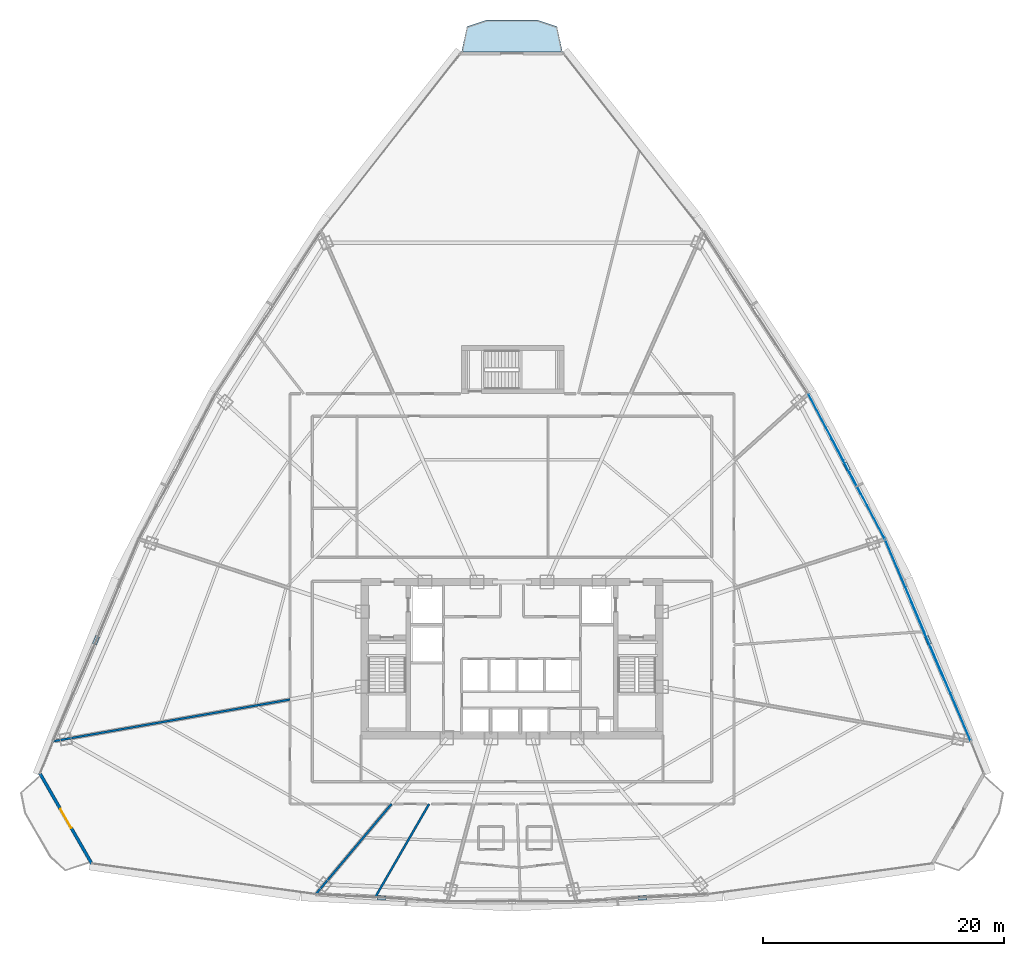
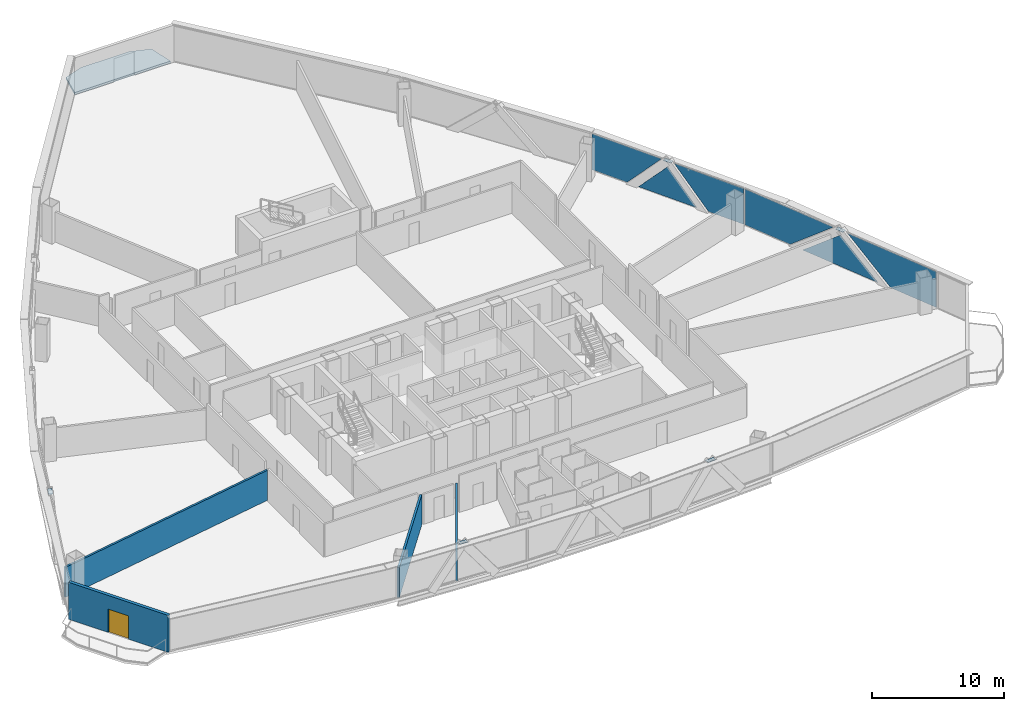
# One storey, part 31 of 39: 11 plates, 4 walls, 1 door, 1 slab, 1 opening, 2 elements without a shape of their own.
"""IFC4 building model written with IfcOpenShell, lengths in metres."""

from ifc_helpers import new_model, si_unit, direction, frame, frame_2d, origin, origin_with_axes, origin_2d, place, context, subcontext, project, spatial, polyline, rectangle, outline, extrude, source, transform, mapped, material, layer, layer_set, type_object, element, fill, aggregate, save


model = new_model("IFC4")

# Units and contexts
model_context = context("Model", 3, precision=1e-05, world=origin(), true_north=direction((0.0, 1.0)))
body_context = subcontext(model_context, "Body", "Model", "MODEL_VIEW")
ifc_project = project(units=[si_unit("LENGTHUNIT", "METRE"), si_unit("AREAUNIT", "SQUARE_METRE"), si_unit("VOLUMEUNIT", "CUBIC_METRE"), si_unit("PLANEANGLEUNIT", "RADIAN"), si_unit("MASSUNIT", "GRAM", prefix="KILO"), si_unit("THERMODYNAMICTEMPERATUREUNIT", "KELVIN"), si_unit("POWERUNIT", "WATT")], contexts=[model_context])

# Site, building, storey
site_placement = place(None, origin())
site = spatial("IfcSite", under=ifc_project, at=site_placement, CompositionType="ELEMENT")
building_placement = place(site_placement, origin())
building = spatial("IfcBuilding", under=site, at=building_placement, Name="Yunzhuo Pagoda Commons", CompositionType="ELEMENT")
storey_placement = place(building_placement, frame((0.0, 0.0, 162.949951171875)))
storey = spatial("IfcBuildingStorey", under=building, at=storey_placement, Name="L41", CompositionType="ELEMENT", Elevation=162.949951171875)

# Curtain wall, plates
ifc_material_1 = material(Name="Anodized aluminium 6063-T6", Category="aluminium")
ifc_layer_1 = layer(ifc_material_1, 0.14990234375)
ifc_layer_set_1 = layer_set([ifc_layer_1], Name="Anodized aluminium 6063-T6")
curtain_wall_type = type_object("IfcCurtainWallType", Name="CW-MID Mid-Zone Ribbon Curtain Wall", PredefinedType="NOTDEFINED", material=ifc_layer_set_1)
curtain_wall_1_placement = place(storey_placement, origin())
curtain_wall_1 = element("IfcCurtainWall", 1, at=curtain_wall_1_placement, inside=storey, type_object=curtain_wall_type, Name="L41 curtain wall CW-L41-F2B2", PredefinedType="NOTDEFINED")
ifc_material_2 = material(Name="Tempered low-e double glazing", Category="glass")
ifc_layer_2 = layer(ifc_material_2, 0.028076171875)
ifc_layer_set_2 = layer_set([ifc_layer_2], Name="Tempered low-e double glazing")
plate_type_1 = type_object("IfcPlateType", Name="CW-MID-P Low-E Double Glazing 28", PredefinedType="CURTAIN_PANEL", material=ifc_layer_set_2)
plate_1_placement = place(storey_placement, frame((84.358642578125, 30.89453125, 1.7099609375), z_axis=(0.920363798122, 0.391063267395, 0.0), x_axis=(-0.391063267395, 0.920363798122, 0.0)))
plate_1 = element("IfcPlate", 2, at=plate_1_placement, type_object=plate_type_1, Name="CW panel 1.1 lite 1", PredefinedType="CURTAIN_PANEL", context=body_context, shape_type="SweptSolid", body=[
    extrude(outline(polyline([(-4.183837890625, -1.655029296875), (0.09130859375, -1.655029296875), (4.183837890625, 1.655029296875), (-4.183837890625, 1.655029296875), (-4.183837890625, -1.655029296875)])), origin(), (0.0, 0.0, 1.0), 0.028076171875),
])
plate_2_placement = place(storey_placement, frame((82.431884765625, 35.352294921875, 1.4931640625), z_axis=(0.920363798122, 0.391063267395, 0.0), x_axis=(-0.391063267395, 0.920363798122, 0.0)))
plate_2 = element("IfcPlate", 3, at=plate_2_placement, type_object=plate_type_1, Name="CW panel 1.1 lite 2", PredefinedType="CURTAIN_PANEL", context=body_context, shape_type="SweptSolid", body=[
    extrude(outline(polyline([(-3.556396484375, -1.438232421875), (3.556396484375, -1.438232421875), (0.0, 1.438232421875), (-3.556396484375, -1.438232421875)])), origin(), (0.0, 0.0, 1.0), 0.028076171875),
])
plate_3_placement = place(storey_placement, frame((80.560546875, 39.833251953125, 1.7099609375), z_axis=(0.920363798122, 0.391063267395, 0.0), x_axis=(-0.391063267395, 0.920363798122, 0.0)))
plate_3 = element("IfcPlate", 4, at=plate_3_placement, type_object=plate_type_1, Name="CW panel 1.1 lite 3", PredefinedType="CURTAIN_PANEL", context=body_context, shape_type="SweptSolid", body=[
    extrude(outline(polyline([(-4.183837890625, 1.655029296875), (-0.09130859375, -1.655029296875), (4.183837890625, -1.655029296875), (4.183837890625, 1.655029296875), (-4.183837890625, 1.655029296875)])), origin(), (0.0, 0.0, 1.0), 0.028076171875),
])
aggregate(curtain_wall_1, [plate_1, plate_2, plate_3])

curtain_wall_2_placement = place(storey_placement, origin())
curtain_wall_2 = element("IfcCurtainWall", 5, at=curtain_wall_2_placement, inside=storey, type_object=curtain_wall_type, Name="L41 curtain wall CW-L41-F2B3", PredefinedType="NOTDEFINED")
plate_4_placement = place(storey_placement, frame((77.428466796875, 46.52734375, 1.7099609375), z_axis=(0.88426270096, 0.466989802556, 0.0), x_axis=(-0.466989802556, 0.88426270096, 0.0)))
plate_4 = element("IfcPlate", 6, at=plate_4_placement, type_object=plate_type_1, Name="CW panel 1.1 lite 1", PredefinedType="CURTAIN_PANEL", context=body_context, shape_type="SweptSolid", body=[
    extrude(outline(polyline([(-3.09423828125, -1.655029296875), (0.0283203125, -1.655029296875), (3.094482421875, 1.655029296875), (-3.09423828125, 1.655029296875), (-3.09423828125, -1.655029296875)])), origin(), (0.0, 0.0, 1.0), 0.028076171875),
])
plate_5_placement = place(storey_placement, frame((75.691162109375, 49.75244140625, 1.4580078125), z_axis=(0.88426270096, 0.466989802556, 0.0), x_axis=(-0.466989802556, 0.88426270096, 0.0)))
plate_5 = element("IfcPlate", 7, at=plate_5_placement, type_object=plate_type_1, Name="CW panel 1.1 lite 2", PredefinedType="CURTAIN_PANEL", context=body_context, shape_type="SweptSolid", body=[
    extrude(outline(polyline([(-2.59912109375, -1.40283203125), (2.59912109375, -1.40283203125), (0.0, 1.40283203125), (-2.59912109375, -1.40283203125)])), origin(), (0.0, 0.0, 1.0), 0.028076171875),
])
plate_6_placement = place(storey_placement, frame((74.0068359375, 53.005859375, 1.7099609375), z_axis=(0.88426270096, 0.466989802556, 0.0), x_axis=(-0.466989802556, 0.88426270096, 0.0)))
plate_6 = element("IfcPlate", 8, at=plate_6_placement, type_object=plate_type_1, Name="CW panel 1.1 lite 3", PredefinedType="CURTAIN_PANEL", context=body_context, shape_type="SweptSolid", body=[
    extrude(outline(polyline([(-3.094482421875, 1.655029296875), (-0.0283203125, -1.655029296875), (3.09423828125, -1.655029296875), (3.09423828125, 1.655029296875), (-3.094482421875, 1.655029296875)])), origin(), (0.0, 0.0, 1.0), 0.028076171875),
])
aggregate(curtain_wall_2, [plate_4, plate_5, plate_6])

# Slab
ifc_material_3 = material(Name="Concrete C40", Category="concrete")
ifc_layer_3 = layer(ifc_material_3, 0.199951171875)
ifc_layer_set_3 = layer_set([ifc_layer_3], Name="Concrete C40")
slab_type = type_object("IfcSlabType", Name="SL-BAL Vertex Balcony Deck Slab 200", PredefinedType="FLOOR", material=ifc_layer_set_3)
slab_placement = place(storey_placement, frame((0.0, 0.0, -0.199951171875)))
element("IfcSlab", 9, at=slab_placement, inside=storey, type_object=slab_type, Name="L41 corner balcony V3", PredefinedType="FLOOR", context=body_context, shape_type="SweptSolid", body=[
    extrude(outline(polyline([(52.1806640625, 84.1328125), (43.8193359375, 84.1328125), (44.269287109375, 86.227783203125), (45.90966796875, 86.77783203125), (50.09033203125, 86.77783203125), (51.730712890625, 86.227783203125), (52.1806640625, 84.1328125)])), origin(), (0.0, 0.0, 1.0), 0.199951171875),
])

# Plates
ifc_material_4 = material(Name="Structural steel Q355B", Category="steel")
ifc_layer_4 = layer(ifc_material_4, 0.028076171875)
ifc_layer_set_4 = layer_set([ifc_layer_4], Name="Structural steel Q355B")
plate_type_2 = type_object("IfcPlateType", Name="SP-ND1 Lattice Node Cap Plate 800x500x28", PredefinedType="USERDEFINED", material=ifc_layer_set_4)
shared_shape_1 = source(origin(), body_context, "Body", "SweptSolid", [
    extrude(rectangle(XDim=0.699951171875, YDim=0.35009765625, at=origin_2d()), origin(), (0.0, 0.0, 1.0), 0.035888671875),
])
for number, where, z_axis, x_axis, name in (
    (10, (37.19140625, 14.0146484375, 3.38232421875), (0.0, 0.0, 1.0), (0.998414348059, -0.056292002903, 0.0), "L41 setback lattice tie plate F1.1L"),
    (11, (58.80859375, 14.0146484375, 3.38232421875), (0.0, 0.0, 1.0), (0.998414348059, 0.056292002903, 0.0), "L41 setback lattice tie plate F1.3L"),
    (12, (82.472412109375, 35.369384765625, 3.38232421875), (0.0, 0.0, 1.0), (-0.391068484887, 0.920361581189, 0.0), "L41 setback lattice tie plate F2.1L"),
    (13, (75.730224609375, 49.773193359375, 3.38232421875), (0.0, 0.0, 1.0), (-0.46698864742, 0.884263311, 0.0), "L41 setback lattice tie plate F2.2L"),
    (14, (13.52734375, 35.369384765625, 3.38232421875), (0.0, 0.0, 1.0), (-0.391068484887, -0.920361581189, 0.0), "L41 setback lattice tie plate F3.3L"),
):
    element("IfcPlate", number, at=place(storey_placement, frame(where, z_axis=z_axis, x_axis=x_axis)), inside=storey, type_object=plate_type_2, Name=name, ObjectType="STIFFENER_PLATE", PredefinedType="USERDEFINED", context=body_context, shape_type="MappedRepresentation", body=[
        mapped(shared_shape_1, transform((0.0, 0.0, 0.0), scale=1.0)),
    ])

# Wall, opening, door
ifc_material_5 = material(Name="Precast concrete C40", Category="concrete")
ifc_layer_5 = layer(ifc_material_5, 0.260009765625)
ifc_layer_set_5 = layer_set([ifc_layer_5], Name="Precast concrete C40")
wall_type_1 = type_object("IfcWallType", Name="W-BAL1 Corner Balcony Threshold Wall 260", PredefinedType="STANDARD", material=ifc_layer_set_5)
wall_1_placement = place(storey_placement, frame((8.856201171875, 24.36181640625, 0.0), z_axis=(0.0, 0.0, 1.0), x_axis=(0.497939858886, -0.867211564114, 0.0)))
wall_1 = element("IfcWall", 15, at=wall_1_placement, inside=storey, type_object=wall_type_1, Name="L41 corner balcony wall V1", PredefinedType="STANDARD", context=body_context, shape_type="SweptSolid", body=[
    extrude(rectangle(XDim=8.696044921875, YDim=0.260009765625, at=frame_2d((4.34814453125, 0.0))), origin(), (0.0, 0.0, 1.0), 3.420166015625),
])
opening_placement = place(wall_1_placement, frame((3.447998046875, 0.0, 0.0)))
opening = element("IfcOpeningElement", 16, at=opening_placement, cuts=wall_1, Name="Opening D-BAL1", PredefinedType="OPENING", context=body_context, shape_type="SweptSolid", body=[
    extrude(rectangle(XDim=1.800048828125, YDim=2.14990234375, at=frame_2d((0.89990234375, 1.074951171875))), frame((0.0, 0.14013671875, 0.0), z_axis=(0.0, -1.0, 0.0), x_axis=(1.0, 0.0, 0.0)), (0.0, 0.0, 1.0), 0.280029296875),
])
ifc_material_6 = material(Name="Anodized aluminium frame and tempered glazed leaf", Category="aluminium")
door_type = type_object("IfcDoorType", Name="D-BAL1 Corner Balcony Sliding Glazed Door 1800x2150", OperationType="DOUBLE_DOOR_SLIDING", PredefinedType="DOOR", material=ifc_material_6)
shared_shape_2 = source(origin(), body_context, "Body", "SweptSolid", [
    extrude(rectangle(XDim=1.800048828125, YDim=2.14990234375, at=frame_2d((0.89990234375, 1.074951171875))), frame((0.0, 0.02490234375, 0.0), z_axis=(0.0, -1.0, 0.0), x_axis=(1.0, 0.0, 0.0)), (0.0, 0.0, 1.0), 0.050048828125),
])
door_placement = place(opening_placement, origin_with_axes())
door = element("IfcDoor", 17, at=door_placement, inside=storey, type_object=door_type, Name="L41 corner balcony sliding door V1", OperationType="DOUBLE_DOOR_SLIDING", OverallHeight=2.14990234375, OverallWidth=1.800048828125, PredefinedType="DOOR", context=body_context, shape_type="MappedRepresentation", body=[
    mapped(shared_shape_2, transform((0.0, 0.0, 0.0), scale=1.0)),
])
fill(opening, door)

# Walls
ifc_material_7 = material(Name="Gypsum plasterboard on acoustic stud")
ifc_layer_6 = layer(ifc_material_7, 0.175048828125)
ifc_layer_set_6 = layer_set([ifc_layer_6], Name="Gypsum plasterboard on acoustic stud")
wall_type_2 = type_object("IfcWallType", Name="W-PRT3 Mid-Zone Demising Wall 175", PredefinedType="PARTITIONING", material=ifc_layer_set_6)
wall_2_placement = place(storey_placement, frame((29.60009765625, 30.45556640625, 0.0), z_axis=(0.0, 0.0, 1.0), x_axis=(-0.984808700761, -0.173642802629, 0.0)))
element("IfcWall", 18, at=wall_2_placement, inside=storey, type_object=wall_type_2, Name="L41 interior wall IW-L41-RAD09", PredefinedType="PARTITIONING", context=body_context, shape_type="SweptSolid", body=[
    extrude(rectangle(XDim=19.93408203125, YDim=0.175048828125, at=frame_2d((9.967041015625, 0.0))), origin(), (0.0, 0.0, 1.0), 2.77001953125),
])
wall_3_placement = place(storey_placement, frame((38.0146484375, 21.800048828125, 0.0), z_axis=(0.0, 0.0, 1.0), x_axis=(-0.642778485286, -0.766052099308, 0.0)))
element("IfcWall", 19, at=wall_3_placement, inside=storey, type_object=wall_type_2, Name="L41 interior wall IW-L41-RAD10", PredefinedType="PARTITIONING", context=body_context, shape_type="SweptSolid", body=[
    extrude(rectangle(XDim=9.76171875, YDim=0.175048828125, at=frame_2d((4.880859375, 0.0))), origin(), (0.0, 0.0, 1.0), 2.77001953125),
])
wall_4_placement = place(storey_placement, frame((41.12939453125, 21.800048828125, 0.0), z_axis=(0.0, 0.0, 1.0), x_axis=(-0.499989136038, -0.866031676005, 0.0)))
element("IfcWall", 20, at=wall_4_placement, inside=storey, type_object=wall_type_2, Name="L41 interior wall IW-L41-RAD11", PredefinedType="PARTITIONING", context=body_context, shape_type="SweptSolid", body=[
    extrude(rectangle(XDim=8.954833984375, YDim=0.175048828125, at=frame_2d((4.4775390625, 0.0))), origin(), (0.0, 0.0, 1.0), 2.77001953125),
])

save(model, "model.ifc")
